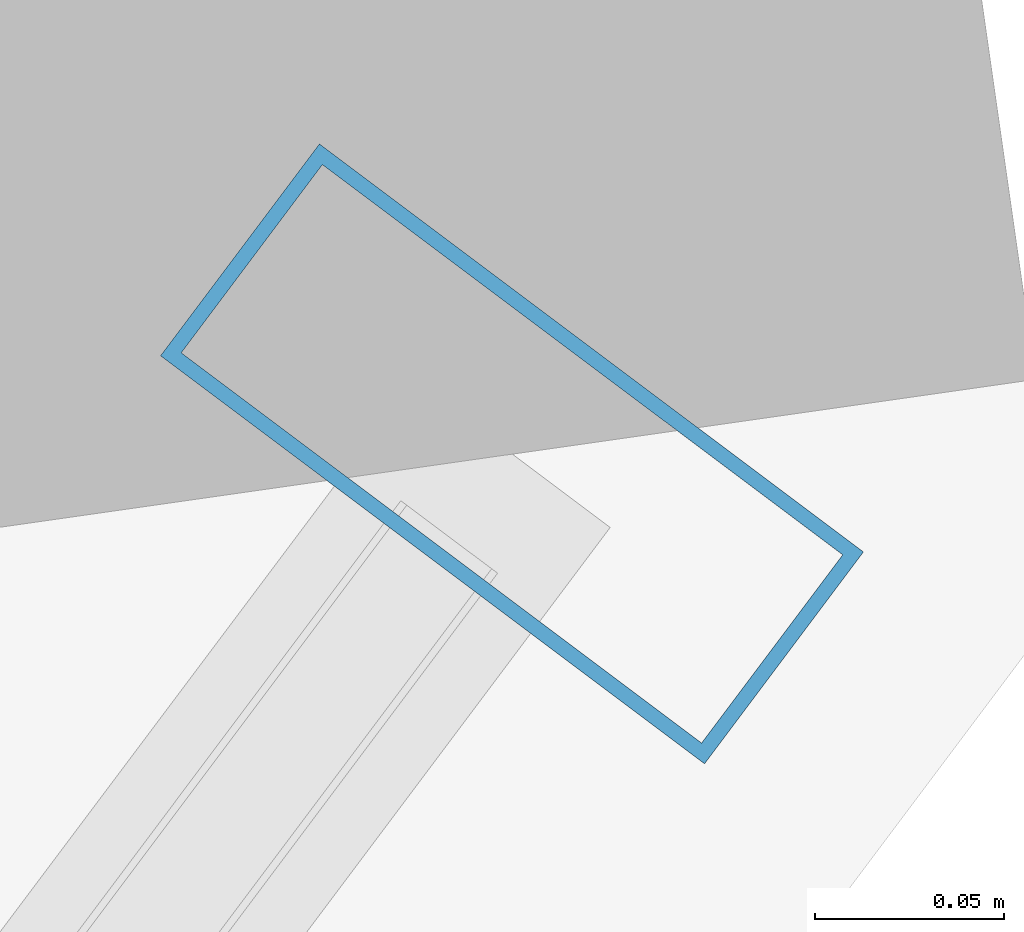
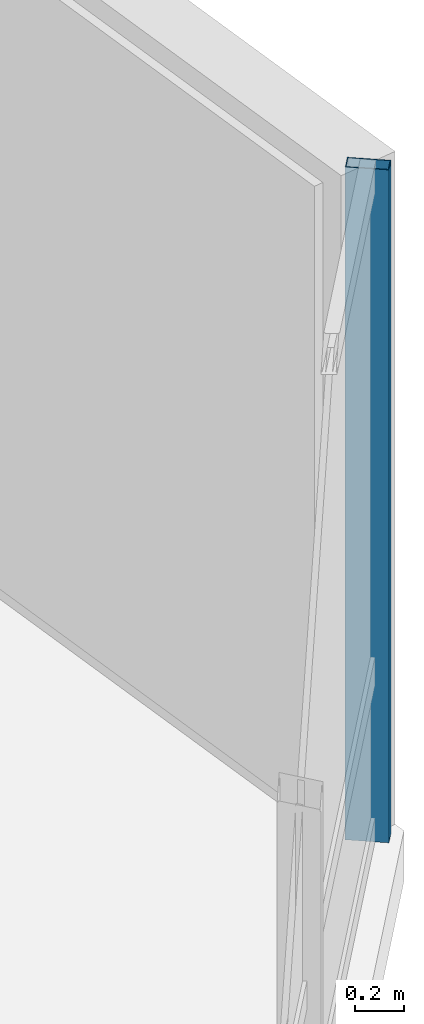
# One storey, part 16 of 27: 1 member, 1 element without a shape of its own.
"""IFC4 building model written with IfcOpenShell, lengths in metres."""

from ifc_helpers import new_model, si_unit, direction, frame, origin, origin_2d, place, context, subcontext, project, spatial, hollow_rectangle, extrude, material, layer, layer_set, material_profile, profile_set, type_object, element, aggregate, save


model = new_model("IFC4")

# Units and contexts
model_context = context("Model", 3, precision=1e-05, world=origin(), true_north=direction((0.0, 1.0)))
body_context = subcontext(model_context, "Body", "Model", "MODEL_VIEW")
ifc_project = project(units=[si_unit("LENGTHUNIT", "METRE"), si_unit("AREAUNIT", "SQUARE_METRE"), si_unit("VOLUMEUNIT", "CUBIC_METRE"), si_unit("PLANEANGLEUNIT", "RADIAN"), si_unit("MASSUNIT", "GRAM", prefix="KILO")], contexts=[model_context])

# Site, building, storey
site_placement = place(None, origin())
site = spatial("IfcSite", under=ifc_project, at=site_placement, CompositionType="ELEMENT")
building_placement = place(site_placement, origin())
building = spatial("IfcBuilding", under=site, at=building_placement, Name="Hatsunagi Terrace Concourse", CompositionType="ELEMENT")
storey_placement = place(building_placement, frame((0.0, 0.0, 156.449951171875)))
storey = spatial("IfcBuildingStorey", under=building, at=storey_placement, Name="L41", CompositionType="ELEMENT", Elevation=156.449951171875)

# Curtain wall, member
ifc_material_1 = material(Name="Anodised Aluminium Alloy 6063-T5", Category="aluminium")
ifc_layer = layer(ifc_material_1, 0.199951171875)
ifc_layer_set = layer_set([ifc_layer], Name="OfficeZone1_CW03")
curtain_wall_type = type_object("IfcCurtainWallType", Name="OfficeZone1_CW03", PredefinedType="NOTDEFINED", material=ifc_layer_set)
curtain_wall_placement = place(storey_placement, origin())
curtain_wall = element("IfcCurtainWall", 1, at=curtain_wall_placement, inside=storey, type_object=curtain_wall_type, Name="Unitised Curtain Wall CW-03 CW-L41-03", PredefinedType="NOTDEFINED")
ifc_material_2 = material(Name="Anodised Aluminium Alloy 6063-T5", Category="aluminium")
ifc_material_profile = material_profile(ifc_material_2, hollow_rectangle(XDim=0.070068359375, YDim=0.179931640625, WallThickness=0.00390625, at=origin_2d()), Name="ALU-MUL-180x70x4")
ifc_profile_set = profile_set([ifc_material_profile], Name="Anodised Aluminium Alloy 6063-T5")
member_type = type_object("IfcMemberType", Name="CurtainWallMullion_180x70", PredefinedType="MULLION", material=ifc_profile_set)
member_placement = place(storey_placement, frame((60.693115234375, 25.9580078125, 0.0), z_axis=(0.0, 0.0, 1.0), x_axis=(-0.599969314634, -0.800023013105, 0.0)))
member = element("IfcMember", 2, at=member_placement, type_object=member_type, Name="Curtain Wall Mullion MUL-02", PredefinedType="MULLION", context=body_context, shape_type="SweptSolid", body=[
    extrude(hollow_rectangle(XDim=0.070068359375, YDim=0.179931640625, WallThickness=0.00390625, at=origin_2d()), origin(), (0.0, 0.0, 1.0), 3.35009765625),
])
aggregate(curtain_wall, [member])

save(model, "model.ifc")
